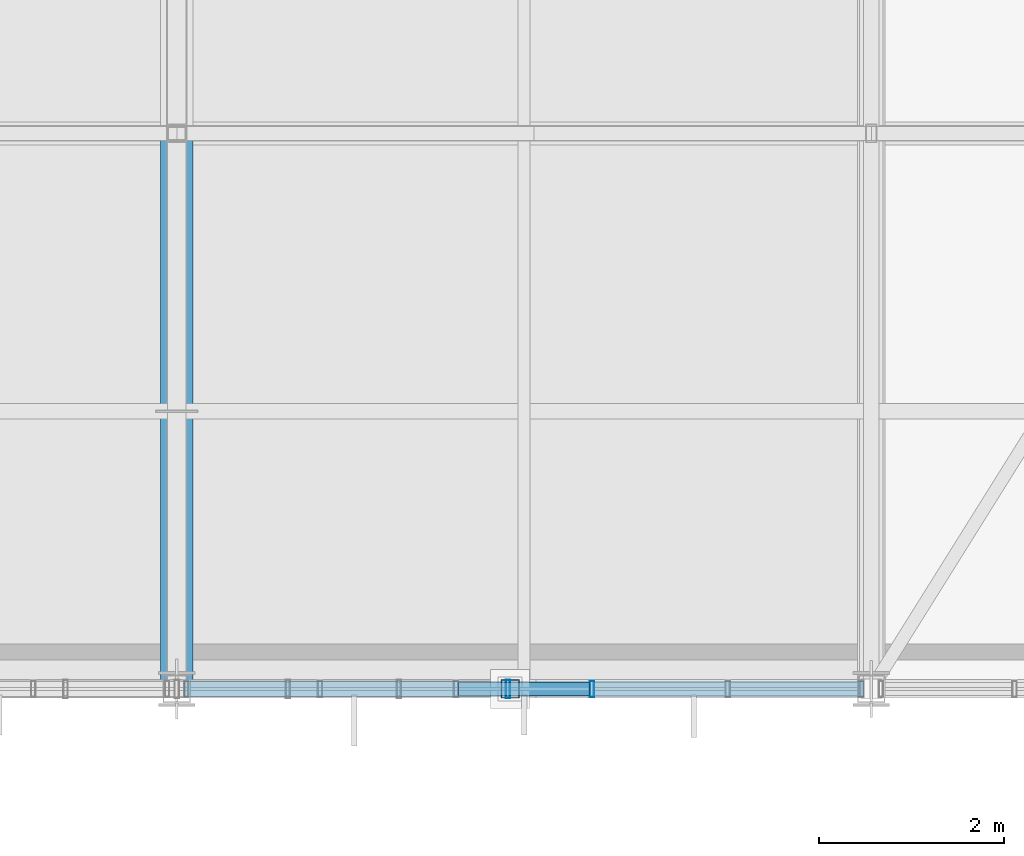
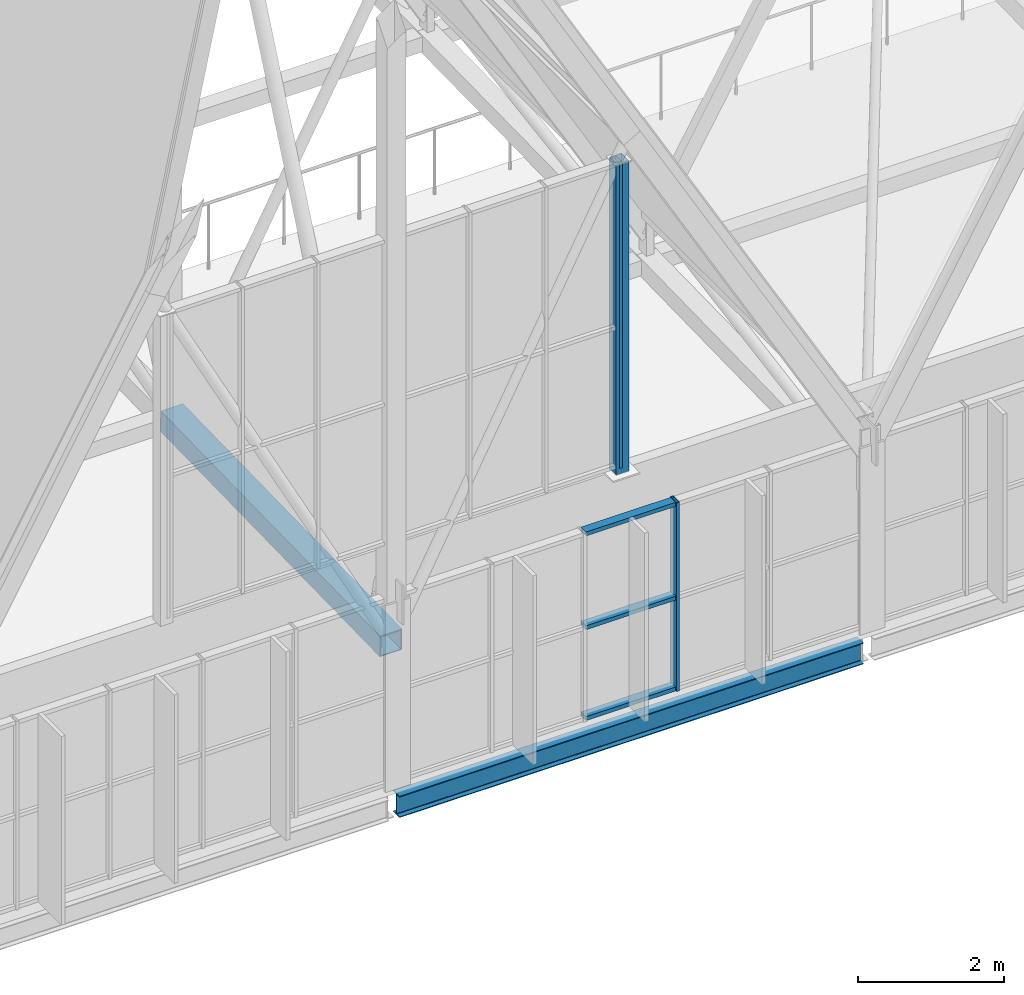
# One storey, part 129 of 324: 7 members, 1 beam, 2 elements without a shape of their own.
"""IFC4 building model written with IfcOpenShell, lengths in metres."""

from ifc_helpers import new_model, si_unit, direction, frame, origin, origin_2d, place, context, subcontext, project, spatial, hollow_rectangle, i_section, extrude, material, layer, layer_set, material_profile, profile_set, type_object, element, aggregate, save


model = new_model("IFC4")

# Units and contexts
model_context = context("Model", 3, precision=1e-05, world=origin(), true_north=direction((0.0, 1.0)))
body_context = subcontext(model_context, "Body", "Model", "MODEL_VIEW")
ifc_project = project(units=[si_unit("LENGTHUNIT", "METRE"), si_unit("AREAUNIT", "SQUARE_METRE"), si_unit("VOLUMEUNIT", "CUBIC_METRE"), si_unit("PLANEANGLEUNIT", "RADIAN"), si_unit("MASSUNIT", "GRAM", prefix="KILO")], contexts=[model_context])

# Site, building, storey
site_placement = place(None, origin())
site = spatial("IfcSite", under=ifc_project, at=site_placement, CompositionType="ELEMENT")
building_placement = place(site_placement, origin())
building = spatial("IfcBuilding", under=site, at=building_placement, Name="Solvenia Promenade Tram Depot", CompositionType="ELEMENT")
storey_placement = place(building_placement, frame((0.0, 0.0, 4.5)))
storey = spatial("IfcBuildingStorey", under=building, at=storey_placement, Name="L01", CompositionType="ELEMENT", Elevation=4.5)

# Curtain wall, member
ifc_material_1 = material(Name="Anodized aluminium AW-6063 T6", Category="aluminium")
ifc_layer_1 = layer(ifc_material_1, 0.159912109375, Name="Anodized aluminium AW-6063 T6", Category="aluminium")
ifc_layer_set_1 = layer_set([ifc_layer_1], Name="Anodized aluminium AW-6063 T6")
curtain_wall_type_1 = type_object("IfcCurtainWallType", Name="CW-Channel-1500", PredefinedType="NOTDEFINED", material=ifc_layer_set_1)
curtain_wall_1_placement = place(storey_placement, origin())
curtain_wall_1 = element("IfcCurtainWall", 1, at=curtain_wall_1_placement, inside=storey, type_object=curtain_wall_type_1, Name="Curtain Wall CW-V1S1-06", PredefinedType="NOTDEFINED")
ifc_material_profile_1 = material_profile(ifc_material_1, hollow_rectangle(XDim=0.179931640625, YDim=0.050048828125, WallThickness=0.00390625, at=origin_2d()), Name="ALU-M2", Category="aluminium")
ifc_profile_set_1 = profile_set([ifc_material_profile_1], Name="Anodized aluminium AW-6063 T6")
member_type_1 = type_object("IfcMemberType", Name="CWM-Mullion-2", PredefinedType="MULLION", material=ifc_profile_set_1)
member_1_placement = place(storey_placement, frame((86.98388671875, 66.0, 0.0), z_axis=(0.0, 0.0, 1.0), x_axis=(0.0, 1.0, 0.0)))
member_1 = element("IfcMember", 2, at=member_1_placement, type_object=member_type_1, Name="CW-2 mullion 4", PredefinedType="MULLION", context=body_context, shape_type="SweptSolid", body=[
    extrude(hollow_rectangle(XDim=0.179931640625, YDim=0.050048828125, WallThickness=0.00390625, at=origin_2d()), origin(), (0.0, 0.0, 1.0), 3.14990234375),
])

ifc_layer_2 = layer(ifc_material_1, 0.14990234375, Name="Anodized aluminium AW-6063 T6", Category="aluminium")
ifc_layer_set_2 = layer_set([ifc_layer_2], Name="Anodized aluminium AW-6063 T6")
curtain_wall_type_2 = type_object("IfcCurtainWallType", Name="CW-Gable-1200", PredefinedType="NOTDEFINED", material=ifc_layer_set_2)
curtain_wall_2_placement = place(storey_placement, origin())
curtain_wall_2 = element("IfcCurtainWall", 3, at=curtain_wall_2_placement, inside=storey, type_object=curtain_wall_type_2, Name="South Zigzag Gable 06 Peak Glazing", PredefinedType="NOTDEFINED")
ifc_material_profile_2 = material_profile(ifc_material_1, hollow_rectangle(XDim=0.199951171875, YDim=0.048095703125, WallThickness=0.00390625, at=origin_2d()), Name="ALU-M3", Category="aluminium")
ifc_profile_set_2 = profile_set([ifc_material_profile_2], Name="Anodized aluminium AW-6063 T6")
member_type_2 = type_object("IfcMemberType", Name="CWM-Mullion-3", PredefinedType="MULLION", material=ifc_profile_set_2)
member_2_placement = place(storey_placement, frame((86.075927734375, 66.0, 4.050048828125), z_axis=(0.0, 0.0, 1.0), x_axis=(0.0, 1.0, 0.0)))
member_2 = element("IfcMember", 4, at=member_2_placement, type_object=member_type_2, Name="CW-3 mullion 7", PredefinedType="MULLION", context=body_context, shape_type="SweptSolid", body=[
    extrude(hollow_rectangle(XDim=0.199951171875, YDim=0.048095703125, WallThickness=0.00390625, at=origin_2d()), origin(), (0.0, 0.0, 1.0), 5.099853515625),
])
aggregate(curtain_wall_2, [member_2])

# Member
ifc_material_profile_3 = material_profile(ifc_material_1, hollow_rectangle(XDim=0.139892578125, YDim=0.06494140625, WallThickness=0.00390625, at=origin_2d()), Name="ALU-T2", Category="aluminium")
ifc_profile_set_3 = profile_set([ifc_material_profile_3], Name="Anodized aluminium AW-6063 T6")
member_type_3 = type_object("IfcMemberType", Name="CWT-Transom-2", PredefinedType="USERDEFINED", material=ifc_profile_set_3)
member_3_placement = place(storey_placement, frame((85.541015625, 66.0, 0.032470703125), z_axis=(1.0, 0.0, 0.0), x_axis=(0.0, 1.0, 0.0)))
member_3 = element("IfcMember", 5, at=member_3_placement, type_object=member_type_3, Name="CW-2 transom 3.1", ObjectType="TRANSOM", PredefinedType="USERDEFINED", context=body_context, shape_type="SweptSolid", body=[
    extrude(hollow_rectangle(XDim=0.139892578125, YDim=0.06494140625, WallThickness=0.00390625, at=origin_2d()), origin(), (0.0, 0.0, 1.0), 1.41796875),
])

member_4_placement = place(storey_placement, frame((85.541015625, 66.0, 1.550048828125), z_axis=(1.0, 0.0, 0.0), x_axis=(0.0, 1.0, 0.0)))
member_4 = element("IfcMember", 6, at=member_4_placement, type_object=member_type_3, Name="CW-2 transom 3.2", ObjectType="TRANSOM", PredefinedType="USERDEFINED", context=body_context, shape_type="SweptSolid", body=[
    extrude(hollow_rectangle(XDim=0.139892578125, YDim=0.06494140625, WallThickness=0.00390625, at=origin_2d()), origin(), (0.0, 0.0, 1.0), 1.41796875),
])

member_5_placement = place(storey_placement, frame((85.541015625, 66.0, 3.117431640625), z_axis=(1.0, 0.0, 0.0), x_axis=(0.0, 1.0, 0.0)))
member_5 = element("IfcMember", 7, at=member_5_placement, type_object=member_type_3, Name="CW-2 transom 3.3", ObjectType="TRANSOM", PredefinedType="USERDEFINED", context=body_context, shape_type="SweptSolid", body=[
    extrude(hollow_rectangle(XDim=0.139892578125, YDim=0.06494140625, WallThickness=0.00390625, at=origin_2d()), origin(), (0.0, 0.0, 1.0), 1.41796875),
])

aggregate(curtain_wall_1, [member_1, member_3, member_4, member_5])

# Members
ifc_material_2 = material(Name="Structural steel ASTM A500 Gr. C", Category="steel")
ifc_material_profile_4 = material_profile(ifc_material_2, hollow_rectangle(XDim=0.35009765625, YDim=0.35009765625, WallThickness=0.01611328125, at=origin_2d()), Name="HSS350x350x16", Category="steel")
ifc_profile_set_4 = profile_set([ifc_material_profile_4], Name="Structural steel ASTM A500 Gr. C")
member_type_4 = type_object("IfcMemberType", Name="Chord-HSS350x350x16", PredefinedType="CHORD", material=ifc_profile_set_4)
member_6_placement = place(storey_placement, frame((82.5, 66.0, 2.320068359375), z_axis=(0.0, 0.999779654873, 0.020991467363), x_axis=(-1.0, 0.0, 0.0)))
element("IfcMember", 8, at=member_6_placement, inside=storey, type_object=member_type_4, Name="Arched Truss T12 Bottom Chord S01", PredefinedType="CHORD", context=body_context, shape_type="SweptSolid", body=[
    extrude(hollow_rectangle(XDim=0.35009765625, YDim=0.35009765625, WallThickness=0.01611328125, at=origin_2d()), origin(), (0.0, 0.0, 1.0), 6.001220703125),
])
ifc_material_profile_5 = material_profile(ifc_material_2, hollow_rectangle(XDim=0.199951171875, YDim=0.199951171875, WallThickness=0.010009765625, at=origin_2d()), Name="HSS200x200x10", Category="steel")
ifc_profile_set_5 = profile_set([ifc_material_profile_5], Name="Structural steel ASTM A500 Gr. C")
member_type_5 = type_object("IfcMemberType", Name="Post-HSS200x200x10", PredefinedType="POST", material=ifc_profile_set_5)
member_7_placement = place(storey_placement, frame((86.10009765625, 66.0, 3.949951171875), z_axis=(0.0, 0.0, 1.0), x_axis=(1.0, 0.0, 0.0)))
element("IfcMember", 9, at=member_7_placement, inside=storey, type_object=member_type_5, Name="Gable Curtain-Wall Steel Jamb Post 024", PredefinedType="POST", context=body_context, shape_type="SweptSolid", body=[
    extrude(hollow_rectangle(XDim=0.199951171875, YDim=0.199951171875, WallThickness=0.010009765625, at=origin_2d()), origin(), (0.0, 0.0, 1.0), 5.199951171875),
])

# Beam
ifc_material_3 = material(Name="Structural steel ASTM A992 Gr. 50", Category="steel")
ifc_material_profile_6 = material_profile(ifc_material_3, i_section(OverallWidth=0.172119140625, OverallDepth=0.35791015625, WebThickness=0.0078125, FlangeThickness=0.01318359375, FilletRadius=0.010986328125, at=origin_2d()), Name="W360x57", Category="steel")
ifc_profile_set_6 = profile_set([ifc_material_profile_6], Name="Structural steel ASTM A992 Gr. 50")
beam_type = type_object("IfcBeamType", Name="Spandrel-W360x57", PredefinedType="SPANDREL", material=ifc_profile_set_6)
beam_placement = place(storey_placement, frame((82.5849609375, 66.0, -0.39892578125), z_axis=(1.0, 0.0, 0.0), x_axis=(0.0, 1.0, 0.0)))
element("IfcBeam", 10, at=beam_placement, inside=storey, type_object=beam_type, Name="Perimeter Spandrel BM-L01-0012", PredefinedType="SPANDREL", context=body_context, shape_type="SweptSolid", body=[
    extrude(i_section(OverallWidth=0.172119140625, OverallDepth=0.35791015625, WebThickness=0.0078125, FlangeThickness=0.01318359375, FilletRadius=0.010986328125, at=origin_2d()), origin(), (0.0, 0.0, 1.0), 7.330078125),
])

save(model, "model.ifc")
